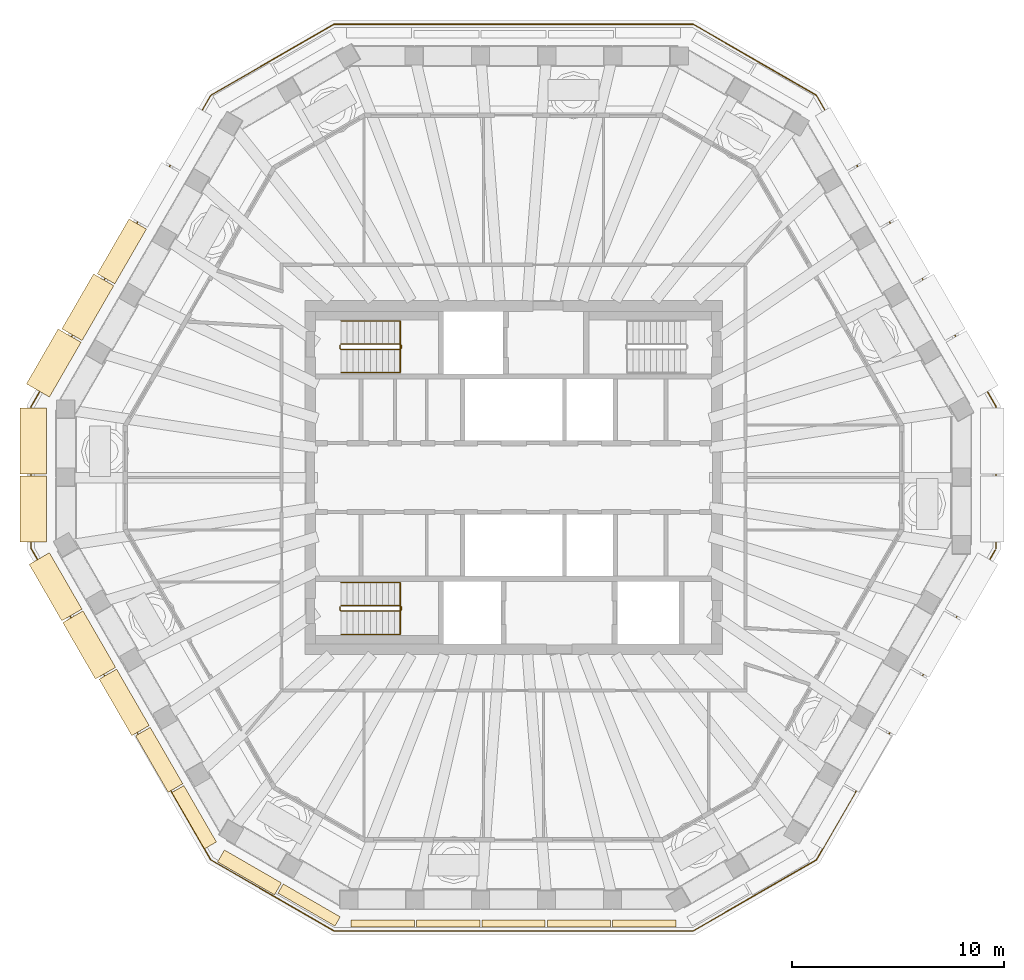
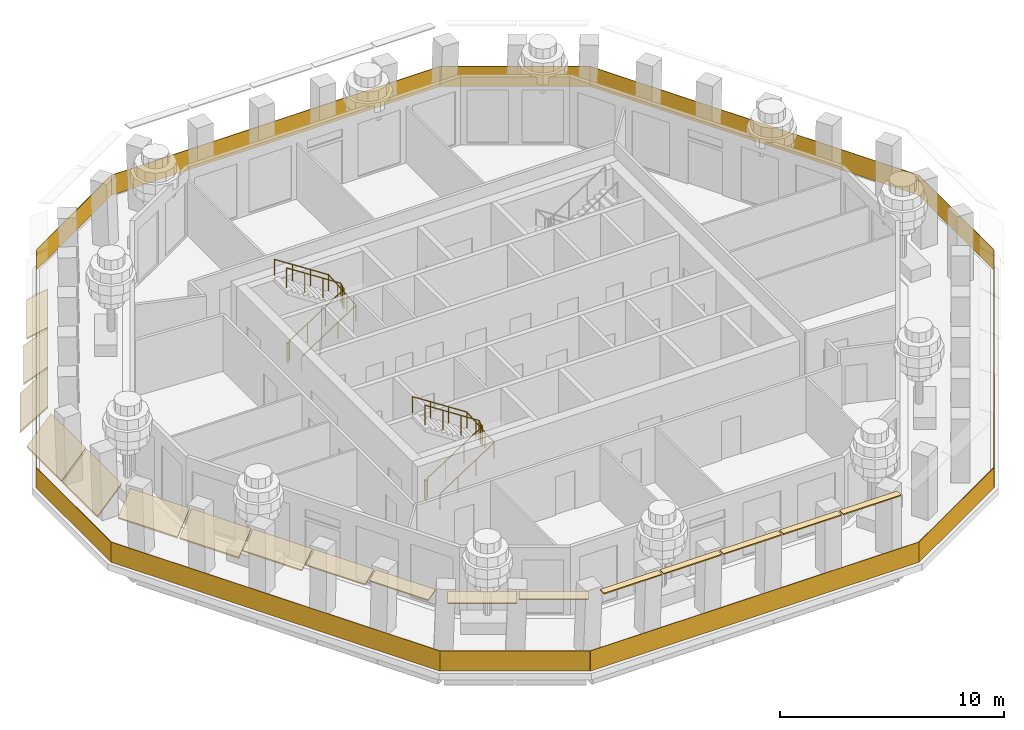
# One storey, part 9 of 13: 17 coverings, 5 railings.
"""IFC4 building model written with IfcOpenShell, lengths in metres."""

from ifc_helpers import new_model, si_unit, direction, frame, origin, origin_2d, place, context, subcontext, project, spatial, polyline, rectangle, circle, outline, extrude, material, layer, layer_set, type_object, element, save


model = new_model("IFC4")

# Units and contexts
model_context = context("Model", 3, precision=1e-05, world=origin(), true_north=direction((0.0, 1.0)))
body_context = subcontext(model_context, "Body", "Model", "MODEL_VIEW")
ifc_project = project(units=[si_unit("LENGTHUNIT", "METRE"), si_unit("AREAUNIT", "SQUARE_METRE"), si_unit("VOLUMEUNIT", "CUBIC_METRE"), si_unit("PLANEANGLEUNIT", "RADIAN"), si_unit("MASSUNIT", "GRAM", prefix="KILO")], contexts=[model_context])

# Site, building, storey
site_placement = place(None, origin())
site = spatial("IfcSite", under=ifc_project, at=site_placement, CompositionType="ELEMENT")
building_placement = place(site_placement, origin())
building = spatial("IfcBuilding", under=site, at=building_placement, Name="Frailejon Research Tower", CompositionType="ELEMENT")
storey_placement = place(building_placement, frame((0.0, 0.0, 308.60009765625)))
storey = spatial("IfcBuildingStorey", under=building, at=storey_placement, Name="L68", CompositionType="ELEMENT", Elevation=308.60009765625)

# Coverings
ifc_material_1 = material(Name="Precast concrete C50/60", Category="concrete")
ifc_layer_1 = layer(ifc_material_1, 0.06005859375)
ifc_layer_set_1 = layer_set([ifc_layer_1], Name="Brim blade depth 1100")
covering_type_1 = type_object("IfcCoveringType", Name="Brim blade depth 1100", PredefinedType="CLADDING", material=ifc_layer_set_1)
covering_1_placement = place(storey_placement, frame((-20.368408203125, 6.472412109375, 3.849853515625), z_axis=(0.500021665056, 0.866012895097, 0.0), x_axis=(-0.866012895097, 0.500021665056, 0.0)))
element("IfcCovering", 1, at=covering_1_placement, inside=storey, type_object=covering_type_1, Name="Brim blade L68", PredefinedType="CLADDING", context=body_context, shape_type="SweptSolid", body=[
    extrude(outline(polyline([(0.0, -0.078369140625), (1.10009765625, -1.001220703125), (1.10009765625, -0.923095703125), (0.0, 0.0), (0.0, -0.078369140625)])), origin(), (0.0, 0.0, 1.0), 2.98583984375),
])
for number, where, z_axis, x_axis, name in (
    (2, (-20.374755859375, -6.2099609375, 3.849853515625), (-0.500013457105, 0.866017634182, 0.0), (-0.866017634182, -0.500013457105, 0.0), "Brim blade L68"),
    (3, (-18.7880859375, -8.957763671875, 3.849853515625), (-0.499999809775, 0.866025513611, 0.0), (-0.866025513611, -0.499999809775, 0.0), "Brim blade L68"),
):
    element("IfcCovering", number, at=place(storey_placement, frame(where, z_axis=z_axis, x_axis=x_axis)), inside=storey, type_object=covering_type_1, Name=name, PredefinedType="CLADDING", context=body_context, shape_type="SweptSolid", body=[
        extrude(outline(polyline([(0.0, -0.078369140625), (1.10009765625, -1.001220703125), (1.10009765625, -0.923095703125), (0.0, 0.0), (0.0, -0.078369140625)])), origin(), (0.0, 0.0, 1.0), 3.072998046875),
    ])
ifc_material_2 = material(Name="Precast concrete C50/60", Category="concrete")
ifc_layer_2 = layer(ifc_material_2, 0.06005859375)
ifc_layer_set_2 = layer_set([ifc_layer_2], Name="Brim blade depth 1250")
covering_type_2 = type_object("IfcCoveringType", Name="Brim blade depth 1250", PredefinedType="CLADDING", material=ifc_layer_set_2)
covering_2_placement = place(storey_placement, frame((-21.9111328125, 3.800048828125, 3.849853515625), z_axis=(0.499997360743, 0.866026927555, 0.0), x_axis=(-0.866026927555, 0.499997360743, 0.0)))
element("IfcCovering", 4, at=covering_2_placement, inside=storey, type_object=covering_type_2, Name="Brim blade L68", PredefinedType="CLADDING", context=body_context, shape_type="SweptSolid", body=[
    extrude(outline(polyline([(0.0, -0.0888671875), (1.25, -1.452880859375), (1.25, -1.364013671875), (0.0, 0.0), (0.0, -0.0888671875)])), origin(), (0.0, 0.0, 1.0), 2.98583984375),
])
for number, where, z_axis, x_axis, name in (
    (5, (-22.050048828125, 0.17578125, 3.849853515625), (0.0, 1.0, 0.0), (-1.0, 0.0, 0.0), "Brim blade L68"),
    (6, (-22.050048828125, -3.030517578125, 3.849853515625), (0.0, 1.0, 0.0), (-1.0, 0.0, 0.0), "Brim blade L68"),
):
    element("IfcCovering", number, at=place(storey_placement, frame(where, z_axis=z_axis, x_axis=x_axis)), inside=storey, type_object=covering_type_2, Name=name, PredefinedType="CLADDING", context=body_context, shape_type="SweptSolid", body=[
        extrude(outline(polyline([(0.0, -0.0888671875), (1.25, -1.452880859375), (1.25, -1.364013671875), (0.0, 0.0), (0.0, -0.0888671875)])), origin(), (0.0, 0.0, 1.0), 3.106201171875),
    ])
ifc_material_3 = material(Name="Precast concrete C50/60", Category="concrete")
ifc_layer_3 = layer(ifc_material_3, 0.06005859375)
ifc_layer_set_3 = layer_set([ifc_layer_3], Name="Brim blade depth 350")
covering_type_3 = type_object("IfcCoveringType", Name="Brim blade depth 350", PredefinedType="CLADDING", material=ifc_layer_set_3)
for number, where, z_axis, x_axis, name in (
    (7, (-4.6787109375, -20.875732421875, 3.849853515625), (-1.0, 0.0, 0.0), (0.0, -1.0, 0.0), "Brim blade L68"),
    (8, (-1.593017578125, -20.875732421875, 3.849853515625), (-1.0, 0.0, 0.0), (0.0, -1.0, 0.0), "Brim blade L68"),
    (9, (1.492919921875, -20.875732421875, 3.849853515625), (-1.0, 0.0, 0.0), (0.0, -1.0, 0.0), "Brim blade L68"),
    (10, (4.578857421875, -20.875732421875, 3.849853515625), (-1.0, 0.0, 0.0), (0.0, -1.0, 0.0), "Brim blade L68"),
    (11, (7.66455078125, -20.875732421875, 3.849853515625), (-1.0, 0.0, 0.0), (0.0, -1.0, 0.0), "Brim blade L68"),
):
    element("IfcCovering", number, at=place(storey_placement, frame(where, z_axis=z_axis, x_axis=x_axis)), inside=storey, type_object=covering_type_3, Name=name, PredefinedType="CLADDING", context=body_context, shape_type="SweptSolid", body=[
        extrude(outline(polyline([(0.0, -0.06005859375), (0.35009765625, -0.06005859375), (0.35009765625, 0.0), (0.0, 0.0), (0.0, -0.06005859375)])), origin(), (0.0, 0.0, 1.0), 2.98583984375),
    ])
ifc_material_4 = material(Name="Precast concrete C50/60", Category="concrete")
ifc_layer_4 = layer(ifc_material_4, 0.06005859375)
ifc_layer_set_4 = layer_set([ifc_layer_4], Name="Brim blade depth 500")
covering_type_4 = type_object("IfcCoveringType", Name="Brim blade depth 500", PredefinedType="CLADDING", material=ifc_layer_set_4)
covering_3_placement = place(storey_placement, frame((-8.182861328125, -20.73681640625, 3.849853515625), z_axis=(-0.866034959906, 0.499983447946, 0.0), x_axis=(-0.499983447946, -0.866034959906, 0.0)))
element("IfcCovering", 12, at=covering_3_placement, inside=storey, type_object=covering_type_4, Name="Brim blade L68", PredefinedType="CLADDING", context=body_context, shape_type="SweptSolid", body=[
    extrude(outline(polyline([(0.0, -0.060546875), (0.5, -0.130859375), (0.5, -0.0703125), (0.0, 0.0), (0.0, -0.060546875)])), origin(), (0.0, 0.0, 1.0), 3.106201171875),
])
ifc_material_5 = material(Name="Precast concrete C50/60", Category="concrete")
ifc_layer_5 = layer(ifc_material_5, 0.06005859375)
ifc_layer_set_5 = layer_set([ifc_layer_5], Name="Brim blade depth 650")
covering_type_5 = type_object("IfcCoveringType", Name="Brim blade depth 650", PredefinedType="CLADDING", material=ifc_layer_set_5)
covering_4_placement = place(storey_placement, frame((-14.02880859375, -17.201416015625, 3.849853515625), z_axis=(-0.500013457105, 0.866017634182, 0.0), x_axis=(-0.866017634182, -0.500013457105, 0.0)))
element("IfcCovering", 13, at=covering_4_placement, inside=storey, type_object=covering_type_5, Name="Brim blade L68", PredefinedType="CLADDING", context=body_context, shape_type="SweptSolid", body=[
    extrude(outline(polyline([(0.0, -0.0625), (0.64990234375, -0.248779296875), (0.64990234375, -0.186279296875), (0.0, 0.0), (0.0, -0.0625)])), origin(), (0.0, 0.0, 1.0), 3.072998046875),
])
covering_5_placement = place(storey_placement, frame((-10.95947265625, -19.1337890625, 3.849853515625), z_axis=(-0.86601365609, 0.500020347052, 0.0), x_axis=(-0.500020347052, -0.86601365609, 0.0)))
element("IfcCovering", 14, at=covering_5_placement, inside=storey, type_object=covering_type_5, Name="Brim blade L68", PredefinedType="CLADDING", context=body_context, shape_type="SweptSolid", body=[
    extrude(outline(polyline([(0.0, -0.0625), (0.64990234375, -0.248779296875), (0.64990234375, -0.186279296875), (0.0, 0.0), (0.0, -0.0625)])), origin(), (0.0, 0.0, 1.0), 3.106201171875),
])
ifc_material_6 = material(Name="Precast concrete C50/60", Category="concrete")
ifc_layer_6 = layer(ifc_material_6, 0.06005859375)
ifc_layer_set_6 = layer_set([ifc_layer_6], Name="Brim blade depth 800")
covering_type_6 = type_object("IfcCoveringType", Name="Brim blade depth 800", PredefinedType="CLADDING", material=ifc_layer_set_6)
covering_6_placement = place(storey_placement, frame((-15.615234375, -14.45361328125, 3.849853515625), z_axis=(-0.499999809775, 0.866025513611, 0.0), x_axis=(-0.866025513611, -0.499999809775, 0.0)))
element("IfcCovering", 15, at=covering_6_placement, inside=storey, type_object=covering_type_6, Name="Brim blade L68", PredefinedType="CLADDING", context=body_context, shape_type="SweptSolid", body=[
    extrude(outline(polyline([(0.0, -0.065673828125), (0.800048828125, -0.421875), (0.800048828125, -0.356201171875), (0.0, 0.0), (0.0, -0.065673828125)])), origin(), (0.0, 0.0, 1.0), 3.072998046875),
])
ifc_material_7 = material(Name="Precast concrete C50/60", Category="concrete")
ifc_layer_7 = layer(ifc_material_7, 0.06005859375)
ifc_layer_set_7 = layer_set([ifc_layer_7], Name="Brim blade depth 950")
covering_type_7 = type_object("IfcCoveringType", Name="Brim blade depth 950", PredefinedType="CLADDING", material=ifc_layer_set_7)
covering_7_placement = place(storey_placement, frame((-18.8251953125, 9.14501953125, 3.849853515625), z_axis=(0.499983328817, 0.866035028683, 0.0), x_axis=(-0.866035028683, 0.499983328817, 0.0)))
element("IfcCovering", 16, at=covering_7_placement, inside=storey, type_object=covering_type_7, Name="Brim blade L68", PredefinedType="CLADDING", context=body_context, shape_type="SweptSolid", body=[
    extrude(outline(polyline([(0.0, -0.07080078125), (0.949951171875, -0.664306640625), (0.949951171875, -0.593505859375), (0.0, 0.0), (0.0, -0.07080078125)])), origin(), (0.0, 0.0, 1.0), 2.98583984375),
])
covering_8_placement = place(storey_placement, frame((-17.201904296875, -11.70556640625, 3.849853515625), z_axis=(-0.499989818873, 0.866031281781, 0.0), x_axis=(-0.866031281781, -0.499989818873, 0.0)))
element("IfcCovering", 17, at=covering_8_placement, inside=storey, type_object=covering_type_7, Name="Brim blade L68", PredefinedType="CLADDING", context=body_context, shape_type="SweptSolid", body=[
    extrude(outline(polyline([(0.0, -0.07080078125), (0.949951171875, -0.664306640625), (0.949951171875, -0.593505859375), (0.0, 0.0), (0.0, -0.07080078125)])), origin(), (0.0, 0.0, 1.0), 3.072998046875),
])

# Railings
ifc_material_8 = material(Name="Laminated glass balustrade", Category="glass")
railing_type_1 = type_object("IfcRailingType", Name="Glass guard 1100", PredefinedType="GUARDRAIL", material=ifc_material_8)
railing_1_placement = place(storey_placement, frame((22.773681640625, -3.3544921875, 0.0)))
element("IfcRailing", 18, at=railing_1_placement, inside=storey, type_object=railing_type_1, Name="Setback terrace guard L68", PredefinedType="GUARDRAIL", context=body_context, shape_type="SweptSolid", body=[
    extrude(rectangle(XDim=6.708984375, YDim=0.030029296875, at=origin_2d()), frame((0.0, 3.3544921875, 0.0), z_axis=(0.0, 0.0, 1.0), x_axis=(0.0, 1.0, 0.0)), (0.0, 0.0, 1.0), 1.10009765625),
    extrude(rectangle(XDim=16.963623046875, YDim=0.030029296875, at=origin_2d()), frame((-4.24072265625, 14.054443359375, 0.0), z_axis=(0.0, 0.0, 1.0), x_axis=(-0.499994871756, 0.866028364557, 0.0)), (0.0, 0.0, 1.0), 1.10009765625),
    extrude(rectangle(XDim=6.709228515625, YDim=0.030029296875, at=origin_2d()), frame((-11.38671875, 23.0771484375, 0.0), z_axis=(0.0, 0.0, 1.0), x_axis=(-0.866031061406, 0.499990200585, 0.0)), (0.0, 0.0, 1.0), 1.10009765625),
    extrude(rectangle(XDim=16.96337890625, YDim=0.030029296875, at=origin_2d()), frame((-22.773681640625, 24.75439453125, 0.0), z_axis=(0.0, 0.0, 1.0), x_axis=(-1.0, 0.0, 0.0)), (0.0, 0.0, 1.0), 1.10009765625),
    extrude(rectangle(XDim=6.709228515625, YDim=0.030029296875, at=origin_2d()), frame((-34.16064453125, 23.0771484375, 0.0), z_axis=(0.0, 0.0, 1.0), x_axis=(-0.866031061406, -0.499990200585, 0.0)), (0.0, 0.0, 1.0), 1.10009765625),
    extrude(rectangle(XDim=16.963623046875, YDim=0.030029296875, at=origin_2d()), frame((-41.306640625, 14.054443359375, 0.0), z_axis=(0.0, 0.0, 1.0), x_axis=(-0.499994871756, -0.866028364557, 0.0)), (0.0, 0.0, 1.0), 1.10009765625),
    extrude(rectangle(XDim=6.708984375, YDim=0.030029296875, at=origin_2d()), frame((-45.54736328125, 3.3544921875, 0.0), z_axis=(0.0, 0.0, 1.0), x_axis=(0.0, -1.0, 0.0)), (0.0, 0.0, 1.0), 1.10009765625),
    extrude(rectangle(XDim=16.963623046875, YDim=0.030029296875, at=origin_2d()), frame((-41.306640625, -7.345458984375, 0.0), z_axis=(0.0, 0.0, 1.0), x_axis=(0.499994871756, -0.866028364557, 0.0)), (0.0, 0.0, 1.0), 1.10009765625),
    extrude(rectangle(XDim=6.709228515625, YDim=0.030029296875, at=origin_2d()), frame((-34.16064453125, -16.3681640625, 0.0), z_axis=(0.0, 0.0, 1.0), x_axis=(0.866031061406, -0.499990200585, 0.0)), (0.0, 0.0, 1.0), 1.10009765625),
    extrude(rectangle(XDim=16.96337890625, YDim=0.030029296875, at=origin_2d()), frame((-22.773681640625, -18.04541015625, 0.0), z_axis=(0.0, 0.0, 1.0), x_axis=(1.0, 0.0, 0.0)), (0.0, 0.0, 1.0), 1.10009765625),
    extrude(rectangle(XDim=6.709228515625, YDim=0.030029296875, at=origin_2d()), frame((-11.38671875, -16.3681640625, 0.0), z_axis=(0.0, 0.0, 1.0), x_axis=(0.866031061406, 0.499990200585, 0.0)), (0.0, 0.0, 1.0), 1.10009765625),
    extrude(rectangle(XDim=16.8935546875, YDim=0.030029296875, at=origin_2d()), frame((-4.25830078125, -7.3759765625, 0.0), z_axis=(0.0, 0.0, 1.0), x_axis=(0.500003090355, 0.86602361956, 0.0)), (0.0, 0.0, 1.0), 1.10009765625),
])
ifc_material_9 = material(Name="Stainless steel", Category="steel")
railing_type_2 = type_object("IfcRailingType", Name="Stair guard 1100", PredefinedType="GUARDRAIL", material=ifc_material_9)
railing_2_placement = place(storey_placement, frame((-8.199951171875, 6.25, 0.0)))
element("IfcRailing", 19, at=railing_2_placement, inside=storey, type_object=railing_type_2, Name="L68 ST1 stair guard 1", PredefinedType="GUARDRAIL", context=body_context, shape_type="SweptSolid", body=[
    extrude(circle(Radius=0.02392578125, at=origin_2d()), frame((0.0, 0.0, 1.076171875), z_axis=(0.0, -1.0, 0.0), x_axis=(1.0, 0.0, 0.0)), (0.0, 0.0, 1.0), 0.14990234375),
    extrude(circle(Radius=0.02392578125, at=origin_2d()), frame((0.0, -0.14990234375, 1.076171875), z_axis=(0.256734642926, -0.256734642926, 0.931758899203), x_axis=(0.707106781187, 0.707106781187, 0.0)), (0.0, 0.0, 1.0), 0.19482421875),
    extrude(circle(Radius=0.02392578125, at=origin_2d()), frame((0.050048828125, -0.199951171875, 1.2578125), z_axis=(0.838650734948, 0.0, 0.544669573936), x_axis=(0.0, 1.0, 0.0)), (0.0, 0.0, 1.0), 3.33837890625),
    extrude(circle(Radius=0.02392578125, at=origin_2d()), frame((2.849853515625, -0.199951171875, 3.076171875), z_axis=(0.707106781187, 0.707106781187, 0.0), x_axis=(-0.707106781187, 0.707106781187, 0.0)), (0.0, 0.0, 1.0), 0.07080078125),
    extrude(circle(Radius=0.02392578125, at=origin_2d()), frame((2.89990234375, -0.14990234375, 3.076171875), z_axis=(0.0, 1.0, 0.0), x_axis=(-1.0, 0.0, 0.0)), (0.0, 0.0, 1.0), 0.14990234375),
    extrude(circle(Radius=0.02392578125, at=origin_2d()), frame((2.89990234375, 0.0, 3.076171875), z_axis=(-0.256734642926, 0.256734642926, 0.931758899203), x_axis=(-0.707106781187, -0.707106781187, 0.0)), (0.0, 0.0, 1.0), 0.19482421875),
    extrude(circle(Radius=0.02392578125, at=origin_2d()), frame((2.849853515625, 0.050048828125, 3.2578125), z_axis=(-0.838650734948, 0.0, 0.544669573936), x_axis=(0.0, -1.0, 0.0)), (0.0, 0.0, 1.0), 3.33837890625),
    extrude(circle(Radius=0.02099609375, at=origin_2d()), origin(), (0.0, 0.0, 1.0), 1.052001953125),
    extrude(circle(Radius=0.02099609375, at=origin_2d()), frame((0.0, -0.14990234375, 0.0)), (0.0, 0.0, 1.0), 1.052001953125),
    extrude(circle(Radius=0.02099609375, at=origin_2d()), frame((0.050048828125, -0.199951171875, 0.181640625)), (0.0, 0.0, 1.0), 1.052001953125),
    extrude(circle(Radius=0.02099609375, at=origin_2d()), frame((0.9833984375, -0.199951171875, 0.787841796875)), (0.0, 0.0, 1.0), 1.052001953125),
    extrude(circle(Radius=0.02099609375, at=origin_2d()), frame((1.91650390625, -0.199951171875, 1.393798828125)), (0.0, 0.0, 1.0), 1.052001953125),
    extrude(circle(Radius=0.02099609375, at=origin_2d()), frame((2.849853515625, -0.199951171875, 2.0)), (0.0, 0.0, 1.0), 1.052001953125),
    extrude(circle(Radius=0.02099609375, at=origin_2d()), frame((2.89990234375, -0.14990234375, 2.0)), (0.0, 0.0, 1.0), 1.052001953125),
    extrude(circle(Radius=0.02099609375, at=origin_2d()), frame((2.89990234375, 0.0, 2.0)), (0.0, 0.0, 1.0), 1.052001953125),
    extrude(circle(Radius=0.02099609375, at=origin_2d()), frame((2.849853515625, 0.050048828125, 2.181640625)), (0.0, 0.0, 1.0), 1.052001953125),
    extrude(circle(Radius=0.02099609375, at=origin_2d()), frame((1.91650390625, 0.050048828125, 2.787841796875)), (0.0, 0.0, 1.0), 1.052001953125),
    extrude(circle(Radius=0.02099609375, at=origin_2d()), frame((0.9833984375, 0.050048828125, 3.393798828125)), (0.0, 0.0, 1.0), 1.052001953125),
    extrude(circle(Radius=0.02099609375, at=origin_2d()), frame((0.050048828125, 0.050048828125, 4.0)), (0.0, 0.0, 1.0), 1.052001953125),
])
railing_3_placement = place(storey_placement, frame((-8.199951171875, -6.10009765625, 0.0)))
element("IfcRailing", 20, at=railing_3_placement, inside=storey, type_object=railing_type_2, Name="L68 ST2 stair guard 1", PredefinedType="GUARDRAIL", context=body_context, shape_type="SweptSolid", body=[
    extrude(circle(Radius=0.02392578125, at=origin_2d()), frame((0.0, 0.0, 1.076171875), z_axis=(0.0, -1.0, 0.0), x_axis=(1.0, 0.0, 0.0)), (0.0, 0.0, 1.0), 0.14990234375),
    extrude(circle(Radius=0.02392578125, at=origin_2d()), frame((0.0, -0.14990234375, 1.076171875), z_axis=(0.256734642926, -0.256734642926, 0.931758899203), x_axis=(0.707106781187, 0.707106781187, 0.0)), (0.0, 0.0, 1.0), 0.19482421875),
    extrude(circle(Radius=0.02392578125, at=origin_2d()), frame((0.050048828125, -0.199951171875, 1.2578125), z_axis=(0.838650734948, 0.0, 0.544669573936), x_axis=(0.0, 1.0, 0.0)), (0.0, 0.0, 1.0), 3.33837890625),
    extrude(circle(Radius=0.02392578125, at=origin_2d()), frame((2.849853515625, -0.199951171875, 3.076171875), z_axis=(0.707106781187, 0.707106781187, 0.0), x_axis=(-0.707106781187, 0.707106781187, 0.0)), (0.0, 0.0, 1.0), 0.07080078125),
    extrude(circle(Radius=0.02392578125, at=origin_2d()), frame((2.89990234375, -0.14990234375, 3.076171875), z_axis=(0.0, 1.0, 0.0), x_axis=(-1.0, 0.0, 0.0)), (0.0, 0.0, 1.0), 0.14990234375),
    extrude(circle(Radius=0.02392578125, at=origin_2d()), frame((2.89990234375, 0.0, 3.076171875), z_axis=(-0.256734642926, 0.256734642926, 0.931758899203), x_axis=(-0.707106781187, -0.707106781187, 0.0)), (0.0, 0.0, 1.0), 0.19482421875),
    extrude(circle(Radius=0.02392578125, at=origin_2d()), frame((2.849853515625, 0.050048828125, 3.2578125), z_axis=(-0.838650734948, 0.0, 0.544669573936), x_axis=(0.0, -1.0, 0.0)), (0.0, 0.0, 1.0), 3.33837890625),
    extrude(circle(Radius=0.02099609375, at=origin_2d()), origin(), (0.0, 0.0, 1.0), 1.052001953125),
    extrude(circle(Radius=0.02099609375, at=origin_2d()), frame((0.0, -0.14990234375, 0.0)), (0.0, 0.0, 1.0), 1.052001953125),
    extrude(circle(Radius=0.02099609375, at=origin_2d()), frame((0.050048828125, -0.199951171875, 0.181640625)), (0.0, 0.0, 1.0), 1.052001953125),
    extrude(circle(Radius=0.02099609375, at=origin_2d()), frame((0.9833984375, -0.199951171875, 0.787841796875)), (0.0, 0.0, 1.0), 1.052001953125),
    extrude(circle(Radius=0.02099609375, at=origin_2d()), frame((1.91650390625, -0.199951171875, 1.393798828125)), (0.0, 0.0, 1.0), 1.052001953125),
    extrude(circle(Radius=0.02099609375, at=origin_2d()), frame((2.849853515625, -0.199951171875, 2.0)), (0.0, 0.0, 1.0), 1.052001953125),
    extrude(circle(Radius=0.02099609375, at=origin_2d()), frame((2.89990234375, -0.14990234375, 2.0)), (0.0, 0.0, 1.0), 1.052001953125),
    extrude(circle(Radius=0.02099609375, at=origin_2d()), frame((2.89990234375, 0.0, 2.0)), (0.0, 0.0, 1.0), 1.052001953125),
    extrude(circle(Radius=0.02099609375, at=origin_2d()), frame((2.849853515625, 0.050048828125, 2.181640625)), (0.0, 0.0, 1.0), 1.052001953125),
    extrude(circle(Radius=0.02099609375, at=origin_2d()), frame((1.91650390625, 0.050048828125, 2.787841796875)), (0.0, 0.0, 1.0), 1.052001953125),
    extrude(circle(Radius=0.02099609375, at=origin_2d()), frame((0.9833984375, 0.050048828125, 3.393798828125)), (0.0, 0.0, 1.0), 1.052001953125),
    extrude(circle(Radius=0.02099609375, at=origin_2d()), frame((0.050048828125, 0.050048828125, 4.0)), (0.0, 0.0, 1.0), 1.052001953125),
])
ifc_material_10 = material(Name="Stainless steel", Category="steel")
railing_type_3 = type_object("IfcRailingType", Name="Stair handrail 900", PredefinedType="HANDRAIL", material=ifc_material_10)
railing_4_placement = place(storey_placement, frame((-8.14990234375, 4.949951171875, 0.181640625)))
element("IfcRailing", 21, at=railing_4_placement, inside=storey, type_object=railing_type_3, Name="L68 ST1 stair handrail 1", PredefinedType="HANDRAIL", context=body_context, shape_type="SweptSolid", body=[
    extrude(circle(Radius=0.02392578125, at=origin_2d()), frame((0.0, 0.0, 0.8759765625), z_axis=(0.838650734948, 0.0, 0.544669573936), x_axis=(0.0, 1.0, 0.0)), (0.0, 0.0, 1.0), 3.33837890625),
    extrude(circle(Radius=0.02392578125, at=origin_2d()), frame((2.7998046875, 0.0, 2.6943359375), z_axis=(0.0, 0.997262871482, 0.073937576122), x_axis=(-1.0, 0.0, 0.0)), (0.0, 0.0, 1.0), 2.456787109375),
    extrude(circle(Radius=0.02392578125, at=origin_2d()), frame((2.7998046875, 2.449951171875, 2.8759765625), z_axis=(-0.838650734948, 0.0, 0.544669573936), x_axis=(0.0, -1.0, 0.0)), (0.0, 0.0, 1.0), 3.33837890625),
    extrude(circle(Radius=0.02099609375, at=origin_2d()), origin(), (0.0, 0.0, 1.0), 0.851806640625),
    extrude(circle(Radius=0.02099609375, at=origin_2d()), frame((0.933349609375, 0.0, 0.606201171875)), (0.0, 0.0, 1.0), 0.851806640625),
    extrude(circle(Radius=0.02099609375, at=origin_2d()), frame((1.866455078125, 0.0, 1.212158203125)), (0.0, 0.0, 1.0), 0.851806640625),
    extrude(circle(Radius=0.02099609375, at=origin_2d()), frame((2.7998046875, 0.0, 1.818359375)), (0.0, 0.0, 1.0), 0.851806640625),
    extrude(circle(Radius=0.02099609375, at=origin_2d()), frame((2.7998046875, 0.816650390625, 1.87890625)), (0.0, 0.0, 1.0), 0.851806640625),
    extrude(circle(Radius=0.02099609375, at=origin_2d()), frame((2.7998046875, 1.63330078125, 1.939453125)), (0.0, 0.0, 1.0), 0.851806640625),
    extrude(circle(Radius=0.02099609375, at=origin_2d()), frame((2.7998046875, 2.449951171875, 2.0)), (0.0, 0.0, 1.0), 0.851806640625),
    extrude(circle(Radius=0.02099609375, at=origin_2d()), frame((1.866455078125, 2.449951171875, 2.606201171875)), (0.0, 0.0, 1.0), 0.851806640625),
    extrude(circle(Radius=0.02099609375, at=origin_2d()), frame((0.933349609375, 2.449951171875, 3.212158203125)), (0.0, 0.0, 1.0), 0.851806640625),
    extrude(circle(Radius=0.02099609375, at=origin_2d()), frame((0.0, 2.449951171875, 3.818359375)), (0.0, 0.0, 1.0), 0.851806640625),
])
railing_5_placement = place(storey_placement, frame((-8.14990234375, -7.39990234375, 0.181640625)))
element("IfcRailing", 22, at=railing_5_placement, inside=storey, type_object=railing_type_3, Name="L68 ST2 stair handrail 1", PredefinedType="HANDRAIL", context=body_context, shape_type="SweptSolid", body=[
    extrude(circle(Radius=0.02392578125, at=origin_2d()), frame((0.0, 0.0, 0.8759765625), z_axis=(0.838650734948, 0.0, 0.544669573936), x_axis=(0.0, 1.0, 0.0)), (0.0, 0.0, 1.0), 3.33837890625),
    extrude(circle(Radius=0.02392578125, at=origin_2d()), frame((2.7998046875, 0.0, 2.6943359375), z_axis=(0.0, 0.997262871482, 0.073937576122), x_axis=(-1.0, 0.0, 0.0)), (0.0, 0.0, 1.0), 2.456787109375),
    extrude(circle(Radius=0.02392578125, at=origin_2d()), frame((2.7998046875, 2.449951171875, 2.8759765625), z_axis=(-0.838650734948, 0.0, 0.544669573936), x_axis=(0.0, -1.0, 0.0)), (0.0, 0.0, 1.0), 3.33837890625),
    extrude(circle(Radius=0.02099609375, at=origin_2d()), origin(), (0.0, 0.0, 1.0), 0.851806640625),
    extrude(circle(Radius=0.02099609375, at=origin_2d()), frame((0.933349609375, 0.0, 0.606201171875)), (0.0, 0.0, 1.0), 0.851806640625),
    extrude(circle(Radius=0.02099609375, at=origin_2d()), frame((1.866455078125, 0.0, 1.212158203125)), (0.0, 0.0, 1.0), 0.851806640625),
    extrude(circle(Radius=0.02099609375, at=origin_2d()), frame((2.7998046875, 0.0, 1.818359375)), (0.0, 0.0, 1.0), 0.851806640625),
    extrude(circle(Radius=0.02099609375, at=origin_2d()), frame((2.7998046875, 0.816650390625, 1.87890625)), (0.0, 0.0, 1.0), 0.851806640625),
    extrude(circle(Radius=0.02099609375, at=origin_2d()), frame((2.7998046875, 1.63330078125, 1.939453125)), (0.0, 0.0, 1.0), 0.851806640625),
    extrude(circle(Radius=0.02099609375, at=origin_2d()), frame((2.7998046875, 2.449951171875, 2.0)), (0.0, 0.0, 1.0), 0.851806640625),
    extrude(circle(Radius=0.02099609375, at=origin_2d()), frame((1.866455078125, 2.449951171875, 2.606201171875)), (0.0, 0.0, 1.0), 0.851806640625),
    extrude(circle(Radius=0.02099609375, at=origin_2d()), frame((0.933349609375, 2.449951171875, 3.212158203125)), (0.0, 0.0, 1.0), 0.851806640625),
    extrude(circle(Radius=0.02099609375, at=origin_2d()), frame((0.0, 2.449951171875, 3.818359375)), (0.0, 0.0, 1.0), 0.851806640625),
])

save(model, "model.ifc")
